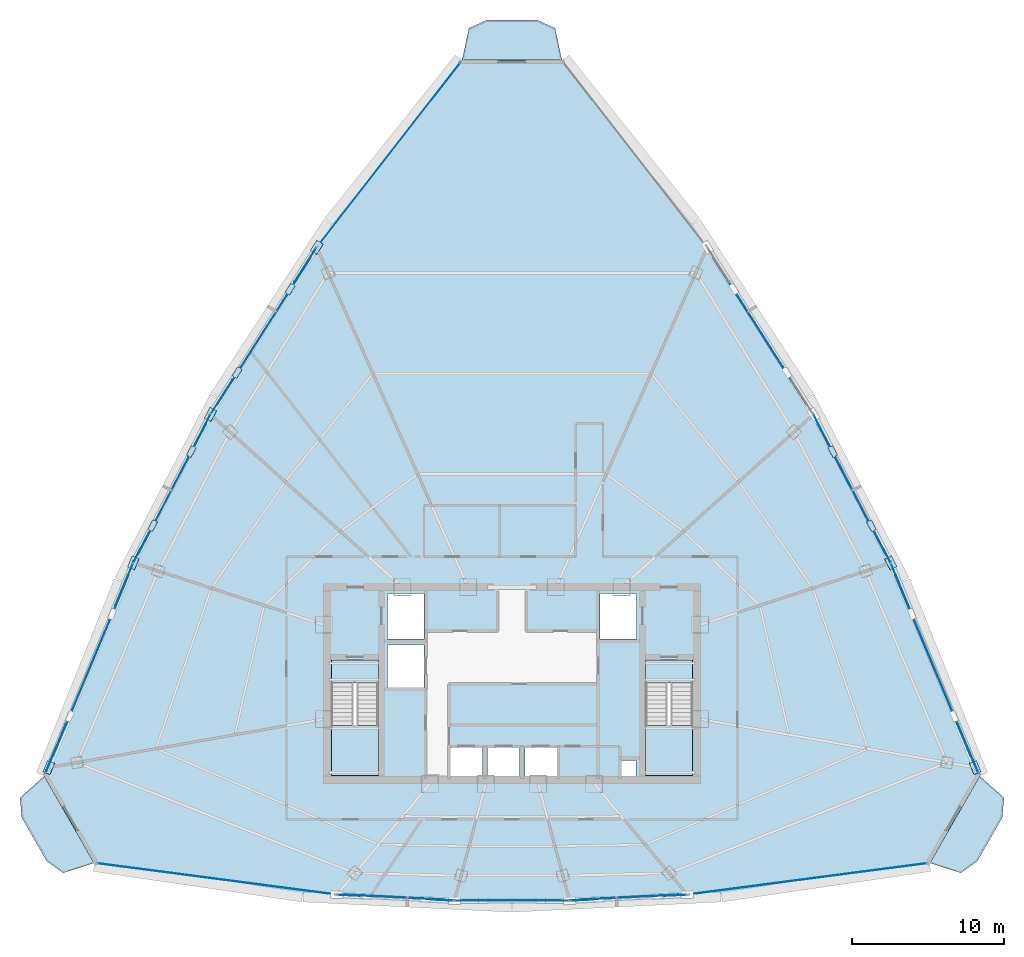
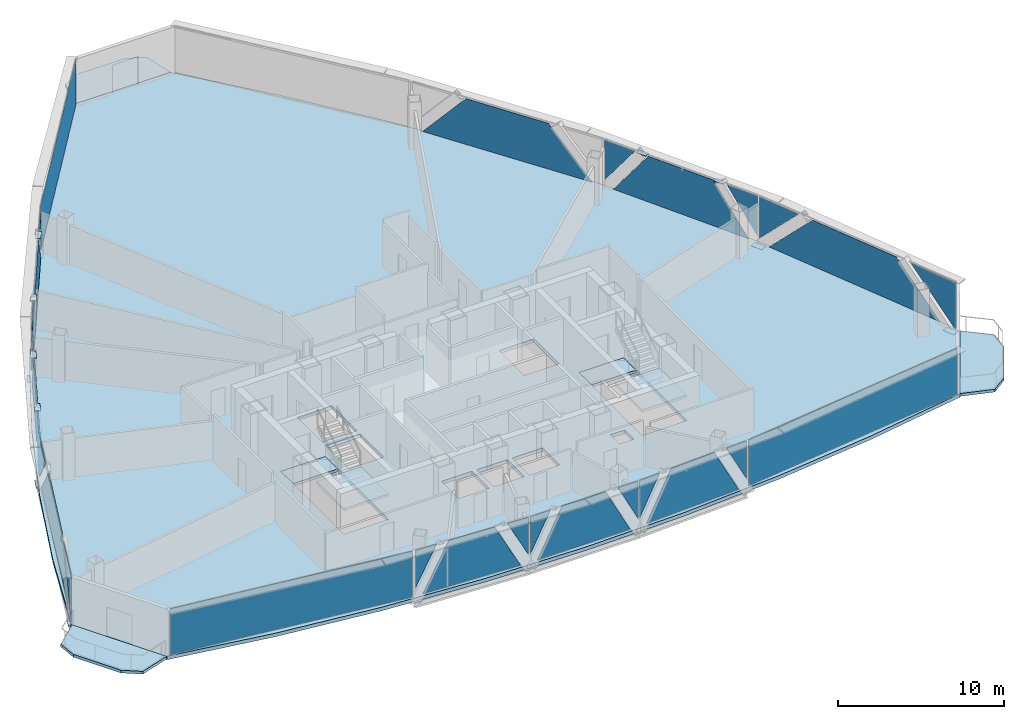
# One storey, part 28 of 35: 40 plates, 8 slabs, 14 elements without a shape of their own.
"""IFC4 building model written with IfcOpenShell, lengths in metres."""

from ifc_helpers import new_model, si_unit, direction, frame, origin, origin_2d, place, context, subcontext, project, spatial, polyline, rectangle, outline, extrude, source, transform, mapped, material, layer, layer_set, type_object, element, aggregate, save


model = new_model("IFC4")

# Units and contexts
model_context = context("Model", 3, precision=1e-05, world=origin(), true_north=direction((0.0, 1.0)))
body_context = subcontext(model_context, "Body", "Model", "MODEL_VIEW")
ifc_project = project(units=[si_unit("LENGTHUNIT", "METRE"), si_unit("AREAUNIT", "SQUARE_METRE"), si_unit("VOLUMEUNIT", "CUBIC_METRE"), si_unit("PLANEANGLEUNIT", "RADIAN"), si_unit("MASSUNIT", "GRAM", prefix="KILO"), si_unit("THERMODYNAMICTEMPERATUREUNIT", "KELVIN"), si_unit("POWERUNIT", "WATT")], contexts=[model_context])

# Site, building, storey
site_placement = place(None, origin())
site = spatial("IfcSite", under=ifc_project, at=site_placement, CompositionType="ELEMENT")
building_placement = place(site_placement, origin())
building = spatial("IfcBuilding", under=site, at=building_placement, Name="Yunzhuo Pagoda Commons", CompositionType="ELEMENT")
storey_placement = place(building_placement, frame((0.0, 0.0, 303.669921875)))
storey = spatial("IfcBuildingStorey", under=building, at=storey_placement, Name="L76", CompositionType="ELEMENT", Elevation=303.669921875)

# Curtain wall, plates
ifc_material_1 = material(Name="Anodized aluminium 6063-T6", Category="aluminium")
ifc_layer_1 = layer(ifc_material_1, 0.139892578125)
ifc_layer_set_1 = layer_set([ifc_layer_1], Name="Anodized aluminium 6063-T6")
curtain_wall_type = type_object("IfcCurtainWallType", Name="CW-HI High-Zone Ribbon Curtain Wall", PredefinedType="NOTDEFINED", material=ifc_layer_set_1)
curtain_wall_1_placement = place(storey_placement, origin())
curtain_wall_1 = element("IfcCurtainWall", 1, at=curtain_wall_1_placement, inside=storey, type_object=curtain_wall_type, Name="L76 curtain wall CW-L76-F1B2", PredefinedType="NOTDEFINED")
ifc_material_2 = material(Name="Tempered low-e double glazing", Category="glass")
ifc_layer_2 = layer(ifc_material_2, 0.02587890625)
ifc_layer_set_2 = layer_set([ifc_layer_2], Name="Tempered low-e double glazing")
plate_type_1 = type_object("IfcPlateType", Name="CW-HI-P Low-E Double Glazing 26", PredefinedType="CURTAIN_PANEL", material=ifc_layer_set_2)
plate_1_placement = place(storey_placement, frame((37.229736328125, 19.91943359375, 2.047119140625), z_axis=(-0.051461616076, -0.998674973187, 0.0), x_axis=(0.998674973187, -0.051461616076, 0.0)))
plate_1 = element("IfcPlate", 2, at=plate_1_placement, type_object=plate_type_1, Name="CW panel 1.1 lite 1", PredefinedType="CURTAIN_PANEL", context=body_context, shape_type="SweptSolid", body=[
    extrude(outline(polyline([(-0.71142578125, -1.367919921875), (0.71142578125, 1.367919921875), (-0.71142578125, 1.367919921875), (-0.71142578125, -1.367919921875)])), origin(), (0.0, 0.0, 1.0), 0.028076171875),
])
plate_2_placement = place(storey_placement, frame((40.335205078125, 19.78955078125, 1.735107421875), z_axis=(-0.051461616076, -0.998674973187, 0.0), x_axis=(0.998674973187, -0.051461616076, 0.0)))
plate_2 = element("IfcPlate", 3, at=plate_2_placement, type_object=plate_type_1, Name="CW panel 1.1 lite 2", PredefinedType="CURTAIN_PANEL", context=body_context, shape_type="SweptSolid", body=[
    extrude(outline(polyline([(-3.28759765625, -1.679931640625), (3.28759765625, -1.679931640625), (1.5400390625, 1.679931640625), (-1.5400390625, 1.679931640625), (-3.28759765625, -1.679931640625)])), origin(), (0.0, 0.0, 1.0), 0.028076171875),
])
plate_3_placement = place(storey_placement, frame((43.437744140625, 19.599609375, 2.047119140625), z_axis=(-0.051461616076, -0.998674973187, 0.0), x_axis=(0.998674973187, -0.051461616076, 0.0)))
plate_3 = element("IfcPlate", 4, at=plate_3_placement, type_object=plate_type_1, Name="CW panel 1.1 lite 3", PredefinedType="CURTAIN_PANEL", context=body_context, shape_type="SweptSolid", body=[
    extrude(outline(polyline([(-0.71142578125, 1.367919921875), (0.71142578125, -1.367919921875), (0.71142578125, 1.367919921875), (-0.71142578125, 1.367919921875)])), origin(), (0.0, 0.0, 1.0), 0.028076171875),
])
aggregate(curtain_wall_1, [plate_1, plate_2, plate_3])

curtain_wall_2_placement = place(storey_placement, origin())
curtain_wall_2 = element("IfcCurtainWall", 5, at=curtain_wall_2_placement, inside=storey, type_object=curtain_wall_type, Name="L76 curtain wall CW-L76-F1B3", PredefinedType="NOTDEFINED")
plate_4_placement = place(storey_placement, frame((44.95849609375, 19.56005859375, 2.0556640625), z_axis=(0.0, -1.0, 0.0), x_axis=(1.0, 0.0, 0.0)))
plate_4 = element("IfcPlate", 6, at=plate_4_placement, type_object=plate_type_1, Name="CW panel 1.1 lite 1", PredefinedType="CURTAIN_PANEL", context=body_context, shape_type="SweptSolid", body=[
    extrude(outline(polyline([(-0.69091796875, -1.359130859375), (0.69091796875, 1.359375), (-0.69091796875, 1.359375), (-0.69091796875, -1.359130859375)])), origin(), (0.0, 0.0, 1.0), 0.028076171875),
])
plate_5_placement = place(storey_placement, frame((48.0, 19.58984375, 1.735107421875), z_axis=(0.0, -1.0, 0.0), x_axis=(1.0, 0.0, 0.0)))
plate_5 = element("IfcPlate", 7, at=plate_5_placement, type_object=plate_type_1, Name="CW panel 1.1 lite 2", PredefinedType="CURTAIN_PANEL", context=body_context, shape_type="SweptSolid", body=[
    extrude(outline(polyline([(-3.206298828125, -1.679931640625), (3.206298828125, -1.679931640625), (1.498046875, 1.679931640625), (-1.498046875, 1.679931640625), (-3.206298828125, -1.679931640625)])), origin(), (0.0, 0.0, 1.0), 0.028076171875),
])
plate_6_placement = place(storey_placement, frame((51.04150390625, 19.56005859375, 2.0556640625), z_axis=(0.0, -1.0, 0.0), x_axis=(1.0, 0.0, 0.0)))
plate_6 = element("IfcPlate", 8, at=plate_6_placement, type_object=plate_type_1, Name="CW panel 1.1 lite 3", PredefinedType="CURTAIN_PANEL", context=body_context, shape_type="SweptSolid", body=[
    extrude(outline(polyline([(-0.69091796875, 1.359375), (0.69091796875, -1.359130859375), (0.69091796875, 1.359375), (-0.69091796875, 1.359375)])), origin(), (0.0, 0.0, 1.0), 0.028076171875),
])
aggregate(curtain_wall_2, [plate_4, plate_5, plate_6])

curtain_wall_3_placement = place(storey_placement, origin())
curtain_wall_3 = element("IfcCurtainWall", 9, at=curtain_wall_3_placement, inside=storey, type_object=curtain_wall_type, Name="L76 curtain wall CW-L76-F1B4", PredefinedType="NOTDEFINED")
plate_7_placement = place(storey_placement, frame((52.562255859375, 19.599609375, 2.047119140625), z_axis=(0.051461616076, -0.998674973187, 0.0), x_axis=(0.998674973187, 0.051461616076, 0.0)))
plate_7 = element("IfcPlate", 10, at=plate_7_placement, type_object=plate_type_1, Name="CW panel 1.1 lite 1", PredefinedType="CURTAIN_PANEL", context=body_context, shape_type="SweptSolid", body=[
    extrude(outline(polyline([(-0.71142578125, -1.367919921875), (0.71142578125, 1.367919921875), (-0.71142578125, 1.367919921875), (-0.71142578125, -1.367919921875)])), origin(), (0.0, 0.0, 1.0), 0.028076171875),
])
plate_8_placement = place(storey_placement, frame((55.664794921875, 19.78955078125, 1.735107421875), z_axis=(0.051461616076, -0.998674973187, 0.0), x_axis=(0.998674973187, 0.051461616076, 0.0)))
plate_8 = element("IfcPlate", 11, at=plate_8_placement, type_object=plate_type_1, Name="CW panel 1.1 lite 2", PredefinedType="CURTAIN_PANEL", context=body_context, shape_type="SweptSolid", body=[
    extrude(outline(polyline([(-3.28759765625, -1.679931640625), (3.28759765625, -1.679931640625), (1.5400390625, 1.679931640625), (-1.5400390625, 1.679931640625), (-3.28759765625, -1.679931640625)])), origin(), (0.0, 0.0, 1.0), 0.028076171875),
])
plate_9_placement = place(storey_placement, frame((58.770263671875, 19.91943359375, 2.047119140625), z_axis=(0.051461616076, -0.998674973187, 0.0), x_axis=(0.998674973187, 0.051461616076, 0.0)))
plate_9 = element("IfcPlate", 12, at=plate_9_placement, type_object=plate_type_1, Name="CW panel 1.1 lite 3", PredefinedType="CURTAIN_PANEL", context=body_context, shape_type="SweptSolid", body=[
    extrude(outline(polyline([(-0.71142578125, 1.367919921875), (0.71142578125, -1.367919921875), (0.71142578125, 1.367919921875), (-0.71142578125, 1.367919921875)])), origin(), (0.0, 0.0, 1.0), 0.028076171875),
])
aggregate(curtain_wall_3, [plate_7, plate_8, plate_9])

curtain_wall_4_placement = place(storey_placement, origin())
curtain_wall_4 = element("IfcCurtainWall", 13, at=curtain_wall_4_placement, inside=storey, type_object=curtain_wall_type, Name="L76 curtain wall CW-L76-F2B2", PredefinedType="NOTDEFINED")
plate_10_placement = place(storey_placement, frame((78.044677734375, 29.56103515625, 1.735107421875), z_axis=(0.922876210298, 0.385096741697, 0.0), x_axis=(-0.385096741697, 0.922876210298, 0.0)))
plate_10 = element("IfcPlate", 14, at=plate_10_placement, type_object=plate_type_1, Name="CW panel 1.1 lite 1", PredefinedType="CURTAIN_PANEL", context=body_context, shape_type="SweptSolid", body=[
    extrude(outline(polyline([(-1.736083984375, -1.679931640625), (-1.549560546875, -1.679931640625), (1.736083984375, 1.679931640625), (-1.736083984375, 1.679931640625), (-1.736083984375, -1.679931640625)])), origin(), (0.0, 0.0, 1.0), 0.028076171875),
])
plate_11_placement = place(storey_placement, frame((75.718505859375, 35.0576171875, 1.735107421875), z_axis=(0.922876210298, 0.385096741697, 0.0), x_axis=(-0.385096741697, 0.922876210298, 0.0)))
plate_11 = element("IfcPlate", 15, at=plate_11_placement, type_object=plate_type_1, Name="CW panel 1.1 lite 2", PredefinedType="CURTAIN_PANEL", context=body_context, shape_type="SweptSolid", body=[
    extrude(outline(polyline([(-6.455078125, -1.679931640625), (6.455078125, -1.679931640625), (3.169677734375, 1.679931640625), (-3.169677734375, 1.679931640625), (-6.455078125, -1.679931640625)])), origin(), (0.0, 0.0, 1.0), 0.028076171875),
])
plate_12_placement = place(storey_placement, frame((73.538330078125, 40.360595703125, 1.8798828125), z_axis=(0.922876210298, 0.385096741697, 0.0), x_axis=(-0.385096741697, 0.922876210298, 0.0)))
plate_12 = element("IfcPlate", 16, at=plate_12_placement, type_object=plate_type_1, Name="CW panel 1.1 lite 3", PredefinedType="CURTAIN_PANEL", context=body_context, shape_type="SweptSolid", body=[
    extrude(outline(polyline([(-1.501220703125, 1.53515625), (1.501220703125, -1.534912109375), (1.501220703125, 1.53515625), (-1.501220703125, 1.53515625)])), origin(), (0.0, 0.0, 1.0), 0.028076171875),
])
aggregate(curtain_wall_4, [plate_10, plate_11, plate_12])

curtain_wall_5_placement = place(storey_placement, origin())
curtain_wall_5 = element("IfcCurtainWall", 17, at=curtain_wall_5_placement, inside=storey, type_object=curtain_wall_type, Name="L76 curtain wall CW-L76-F2B3", PredefinedType="NOTDEFINED")
plate_13_placement = place(storey_placement, frame((72.40625, 42.8212890625, 1.93798828125), z_axis=(0.887137465673, 0.461505272992, 0.0), x_axis=(-0.461505272992, 0.887137465673, 0.0)))
plate_13 = element("IfcPlate", 18, at=plate_13_placement, type_object=plate_type_1, Name="CW panel 1.1 lite 1", PredefinedType="CURTAIN_PANEL", context=body_context, shape_type="SweptSolid", body=[
    extrude(outline(polyline([(-1.09130859375, -1.47705078125), (1.09130859375, 1.47705078125), (-1.09130859375, 1.47705078125), (-1.09130859375, -1.47705078125)])), origin(), (0.0, 0.0, 1.0), 0.028076171875),
])
plate_14_placement = place(storey_placement, frame((70.367431640625, 46.67529296875, 1.735107421875), z_axis=(0.887137465673, 0.461505272992, 0.0), x_axis=(-0.461505272992, 0.887137465673, 0.0)))
plate_14 = element("IfcPlate", 19, at=plate_14_placement, type_object=plate_type_1, Name="CW panel 1.1 lite 2", PredefinedType="CURTAIN_PANEL", context=body_context, shape_type="SweptSolid", body=[
    extrude(outline(polyline([(-4.805908203125, -1.679931640625), (4.805908203125, -1.679931640625), (2.32373046875, 1.679931640625), (-2.32373046875, 1.679931640625), (-4.805908203125, -1.679931640625)])), origin(), (0.0, 0.0, 1.0), 0.028076171875),
])
plate_15_placement = place(storey_placement, frame((68.382080078125, 50.55712890625, 1.93798828125), z_axis=(0.887137465673, 0.461505272992, 0.0), x_axis=(-0.461505272992, 0.887137465673, 0.0)))
plate_15 = element("IfcPlate", 20, at=plate_15_placement, type_object=plate_type_1, Name="CW panel 1.1 lite 3", PredefinedType="CURTAIN_PANEL", context=body_context, shape_type="SweptSolid", body=[
    extrude(outline(polyline([(-1.09130859375, 1.47705078125), (1.09130859375, -1.47705078125), (1.09130859375, 1.47705078125), (-1.09130859375, 1.47705078125)])), origin(), (0.0, 0.0, 1.0), 0.028076171875),
])
aggregate(curtain_wall_5, [plate_13, plate_14, plate_15])

# Curtain wall, plate
curtain_wall_6_placement = place(storey_placement, origin())
curtain_wall_6 = element("IfcCurtainWall", 21, at=curtain_wall_6_placement, inside=storey, type_object=curtain_wall_type, Name="L76 curtain wall CW-L76-F2B4", PredefinedType="NOTDEFINED")
plate_16_placement = place(storey_placement, frame((64.326416015625, 57.06591796875, 1.735107421875), z_axis=(0.843909804597, 0.536485080599, 0.0), x_axis=(-0.536485080599, 0.843909804597, 0.0)))
plate_16 = element("IfcPlate", 22, at=plate_16_placement, type_object=plate_type_1, Name="CW panel 1.1 lite 2", PredefinedType="CURTAIN_PANEL", context=body_context, shape_type="SweptSolid", body=[
    extrude(outline(polyline([(-5.742431640625, -1.679931640625), (5.742431640625, -1.679931640625), (2.8046875, 1.679931640625), (-2.8046875, 1.679931640625), (-5.742431640625, -1.679931640625)])), origin(), (0.0, 0.0, 1.0), 0.028076171875),
])
aggregate(curtain_wall_6, [plate_16])

# Curtain wall, plates
curtain_wall_7_placement = place(storey_placement, origin())
curtain_wall_7 = element("IfcCurtainWall", 23, at=curtain_wall_7_placement, inside=storey, type_object=curtain_wall_type, Name="L76 curtain wall CW-L76-F3B2", PredefinedType="NOTDEFINED")
plate_17_placement = place(storey_placement, frame((34.40478515625, 61.418212890625, 1.900390625), z_axis=(-0.843909804597, 0.536485080599, 0.0), x_axis=(-0.536485080599, -0.843909804597, 0.0)))
plate_17 = element("IfcPlate", 24, at=plate_17_placement, type_object=plate_type_1, Name="CW panel 1.1 lite 1", PredefinedType="CURTAIN_PANEL", context=body_context, shape_type="SweptSolid", body=[
    extrude(outline(polyline([(-1.32421875, -1.514404296875), (1.32421875, 1.514404296875), (-1.32421875, 1.514404296875), (-1.32421875, -1.514404296875)])), origin(), (0.0, 0.0, 1.0), 0.028076171875),
])
plate_18_placement = place(storey_placement, frame((31.673583984375, 57.06591796875, 1.735107421875), z_axis=(-0.843909804597, 0.536485080599, 0.0), x_axis=(-0.536485080599, -0.843909804597, 0.0)))
plate_18 = element("IfcPlate", 25, at=plate_18_placement, type_object=plate_type_1, Name="CW panel 1.1 lite 2", PredefinedType="CURTAIN_PANEL", context=body_context, shape_type="SweptSolid", body=[
    extrude(outline(polyline([(-5.742431640625, -1.679931640625), (5.742431640625, -1.679931640625), (2.8046875, 1.679931640625), (-2.8046875, 1.679931640625), (-5.742431640625, -1.679931640625)])), origin(), (0.0, 0.0, 1.0), 0.028076171875),
])
plate_19_placement = place(storey_placement, frame((28.891357421875, 52.74560546875, 1.900390625), z_axis=(-0.843909804597, 0.536485080599, 0.0), x_axis=(-0.536485080599, -0.843909804597, 0.0)))
plate_19 = element("IfcPlate", 26, at=plate_19_placement, type_object=plate_type_1, Name="CW panel 1.1 lite 3", PredefinedType="CURTAIN_PANEL", context=body_context, shape_type="SweptSolid", body=[
    extrude(outline(polyline([(-1.32421875, 1.514404296875), (1.32421875, -1.514404296875), (1.32421875, 1.514404296875), (-1.32421875, 1.514404296875)])), origin(), (0.0, 0.0, 1.0), 0.028076171875),
])
aggregate(curtain_wall_7, [plate_17, plate_18, plate_19])

curtain_wall_8_placement = place(storey_placement, origin())
curtain_wall_8 = element("IfcCurtainWall", 27, at=curtain_wall_8_placement, inside=storey, type_object=curtain_wall_type, Name="L76 curtain wall CW-L76-F3B3", PredefinedType="NOTDEFINED")
plate_20_placement = place(storey_placement, frame((27.617919921875, 50.55712890625, 1.93798828125), z_axis=(-0.887137465673, 0.461505272992, 0.0), x_axis=(-0.461505272992, -0.887137465673, 0.0)))
plate_20 = element("IfcPlate", 28, at=plate_20_placement, type_object=plate_type_1, Name="CW panel 1.1 lite 1", PredefinedType="CURTAIN_PANEL", context=body_context, shape_type="SweptSolid", body=[
    extrude(outline(polyline([(-1.09130859375, -1.47705078125), (1.09130859375, 1.47705078125), (-1.09130859375, 1.47705078125), (-1.09130859375, -1.47705078125)])), origin(), (0.0, 0.0, 1.0), 0.028076171875),
])
plate_21_placement = place(storey_placement, frame((25.632568359375, 46.67529296875, 1.735107421875), z_axis=(-0.887137465673, 0.461505272992, 0.0), x_axis=(-0.461505272992, -0.887137465673, 0.0)))
plate_21 = element("IfcPlate", 29, at=plate_21_placement, type_object=plate_type_1, Name="CW panel 1.1 lite 2", PredefinedType="CURTAIN_PANEL", context=body_context, shape_type="SweptSolid", body=[
    extrude(outline(polyline([(-4.805908203125, -1.679931640625), (4.805908203125, -1.679931640625), (2.32373046875, 1.679931640625), (-2.32373046875, 1.679931640625), (-4.805908203125, -1.679931640625)])), origin(), (0.0, 0.0, 1.0), 0.028076171875),
])
plate_22_placement = place(storey_placement, frame((23.59375, 42.8212890625, 1.93798828125), z_axis=(-0.887137465673, 0.461505272992, 0.0), x_axis=(-0.461505272992, -0.887137465673, 0.0)))
plate_22 = element("IfcPlate", 30, at=plate_22_placement, type_object=plate_type_1, Name="CW panel 1.1 lite 3", PredefinedType="CURTAIN_PANEL", context=body_context, shape_type="SweptSolid", body=[
    extrude(outline(polyline([(-1.09130859375, 1.47705078125), (1.09130859375, -1.47705078125), (1.09130859375, 1.47705078125), (-1.09130859375, 1.47705078125)])), origin(), (0.0, 0.0, 1.0), 0.028076171875),
])
aggregate(curtain_wall_8, [plate_20, plate_21, plate_22])

curtain_wall_9_placement = place(storey_placement, origin())
curtain_wall_9 = element("IfcCurtainWall", 31, at=curtain_wall_9_placement, inside=storey, type_object=curtain_wall_type, Name="L76 curtain wall CW-L76-F3B4", PredefinedType="NOTDEFINED")
plate_23_placement = place(storey_placement, frame((22.461669921875, 40.360595703125, 1.8798828125), z_axis=(-0.922876210298, 0.385096741697, 0.0), x_axis=(-0.385096741697, -0.922876210298, 0.0)))
plate_23 = element("IfcPlate", 32, at=plate_23_placement, type_object=plate_type_1, Name="CW panel 1.1 lite 1", PredefinedType="CURTAIN_PANEL", context=body_context, shape_type="SweptSolid", body=[
    extrude(outline(polyline([(-1.501220703125, -1.534912109375), (1.501220703125, 1.53515625), (-1.501220703125, 1.53515625), (-1.501220703125, -1.534912109375)])), origin(), (0.0, 0.0, 1.0), 0.028076171875),
])
plate_24_placement = place(storey_placement, frame((20.281494140625, 35.0576171875, 1.735107421875), z_axis=(-0.922876210298, 0.385096741697, 0.0), x_axis=(-0.385096741697, -0.922876210298, 0.0)))
plate_24 = element("IfcPlate", 33, at=plate_24_placement, type_object=plate_type_1, Name="CW panel 1.1 lite 2", PredefinedType="CURTAIN_PANEL", context=body_context, shape_type="SweptSolid", body=[
    extrude(outline(polyline([(-6.455078125, -1.679931640625), (6.455078125, -1.679931640625), (3.169677734375, 1.679931640625), (-3.169677734375, 1.679931640625), (-6.455078125, -1.679931640625)])), origin(), (0.0, 0.0, 1.0), 0.028076171875),
])
plate_25_placement = place(storey_placement, frame((17.955322265625, 29.56103515625, 1.735107421875), z_axis=(-0.922876210298, 0.385096741697, 0.0), x_axis=(-0.385096741697, -0.922876210298, 0.0)))
plate_25 = element("IfcPlate", 34, at=plate_25_placement, type_object=plate_type_1, Name="CW panel 1.1 lite 3", PredefinedType="CURTAIN_PANEL", context=body_context, shape_type="SweptSolid", body=[
    extrude(outline(polyline([(-1.736083984375, 1.679931640625), (1.549560546875, -1.679931640625), (1.736083984375, -1.679931640625), (1.736083984375, 1.679931640625), (-1.736083984375, 1.679931640625)])), origin(), (0.0, 0.0, 1.0), 0.028076171875),
])
aggregate(curtain_wall_9, [plate_23, plate_24, plate_25])

# Slabs
ifc_material_3 = material(Name="Concrete C40", Category="concrete")
ifc_layer_3 = layer(ifc_material_3, 0.199951171875)
ifc_layer_set_3 = layer_set([ifc_layer_3], Name="Concrete C40")
slab_type_1 = type_object("IfcSlabType", Name="SL-BAL Vertex Balcony Deck Slab 200", PredefinedType="FLOOR", material=ifc_layer_set_3)
slab_1_placement = place(storey_placement, frame((0.0, 0.0, -0.199951171875)))
element("IfcSlab", 35, at=slab_1_placement, inside=storey, type_object=slab_type_1, Name="L76 corner balcony V1", PredefinedType="FLOOR", context=body_context, shape_type="SweptSolid", body=[
    extrude(outline(polyline([(17.180908203125, 27.75927734375), (20.468994140625, 22.032958984375), (18.427978515625, 21.380126953125), (17.35302734375, 22.1474609375), (15.709228515625, 25.010498046875), (15.588134765625, 26.32568359375), (17.180908203125, 27.75927734375)])), origin(), (0.0, 0.0, 1.0), 0.199951171875),
])
slab_2_placement = place(storey_placement, frame((0.0, 0.0, -0.199951171875)))
element("IfcSlab", 36, at=slab_2_placement, inside=storey, type_object=slab_type_1, Name="L76 corner balcony V2", PredefinedType="FLOOR", context=body_context, shape_type="SweptSolid", body=[
    extrude(outline(polyline([(75.531005859375, 22.032958984375), (78.819091796875, 27.75927734375), (80.411865234375, 26.32568359375), (80.290771484375, 25.010498046875), (78.64697265625, 22.1474609375), (77.572021484375, 21.380126953125), (75.531005859375, 22.032958984375)])), origin(), (0.0, 0.0, 1.0), 0.199951171875),
])
slab_3_placement = place(storey_placement, frame((0.0, 0.0, -0.199951171875)))
element("IfcSlab", 37, at=slab_3_placement, inside=storey, type_object=slab_type_1, Name="L76 corner balcony V3", PredefinedType="FLOOR", context=body_context, shape_type="SweptSolid", body=[
    extrude(outline(polyline([(51.287841796875, 74.923095703125), (44.712158203125, 74.923095703125), (45.162109375, 77.01806640625), (46.356201171875, 77.568115234375), (49.643798828125, 77.568115234375), (50.837890625, 77.01806640625), (51.287841796875, 74.923095703125)])), origin(), (0.0, 0.0, 1.0), 0.199951171875),
])

# Stair, slabs
stair_type_1 = type_object("IfcStairType", Name="ST-C1 Core Smokeproof Stair ST1", PredefinedType="HALF_TURN_STAIR", material=ifc_material_3)
stair_1_placement = place(storey_placement, origin())
stair_1 = element("IfcStair", 38, at=stair_1_placement, inside=storey, type_object=stair_type_1, Name="L76 Core smokeproof stair ST1", PredefinedType="HALF_TURN_STAIR")
ifc_layer_4 = layer(ifc_material_3, 0.199951171875)
ifc_layer_set_4 = layer_set([ifc_layer_4], Name="Concrete C40")
slab_type_2 = type_object("IfcSlabType", Name="SL-LND1 Stair Landing Slab 200", PredefinedType="LANDING", material=ifc_layer_set_4)
slab_4_placement = place(storey_placement, frame((0.0, 0.0, 1.6650390625)))
slab_4 = element("IfcSlab", 39, at=slab_4_placement, type_object=slab_type_2, Name="ST1 landing 1", PredefinedType="LANDING", context=body_context, shape_type="SweptSolid", body=[
    extrude(outline(polyline([(36.10009765625, 31.10009765625), (36.10009765625, 27.800048828125), (39.199951171875, 27.800048828125), (39.199951171875, 31.10009765625), (36.10009765625, 31.10009765625)])), origin(), (0.0, 0.0, 1.0), 0.199951171875),
])
slab_5_placement = place(storey_placement, frame((0.0, 0.0, -0.199951171875)))
slab_5 = element("IfcSlab", 40, at=slab_5_placement, type_object=slab_type_2, Name="ST1 floor landing L76", PredefinedType="LANDING", context=body_context, shape_type="SweptSolid", body=[
    extrude(outline(polyline([(36.10009765625, 35.39990234375), (36.10009765625, 33.89990234375), (39.199951171875, 33.89990234375), (39.199951171875, 35.39990234375), (36.10009765625, 35.39990234375)])), origin(), (0.0, 0.0, 1.0), 0.199951171875),
])
aggregate(stair_1, [slab_4, slab_5])

stair_type_2 = type_object("IfcStairType", Name="ST-C2 Core Smokeproof Stair ST2", PredefinedType="HALF_TURN_STAIR", material=ifc_material_3)
stair_2_placement = place(storey_placement, origin())
stair_2 = element("IfcStair", 41, at=stair_2_placement, inside=storey, type_object=stair_type_2, Name="L76 Core smokeproof stair ST2", PredefinedType="HALF_TURN_STAIR")
ifc_layer_5 = layer(ifc_material_3, 0.201904296875)
ifc_layer_set_5 = layer_set([ifc_layer_5], Name="Concrete C40")
slab_type_3 = type_object("IfcSlabType", Name="SL-LND2 Stair Landing Slab 202", PredefinedType="LANDING", material=ifc_layer_set_5)
slab_6_placement = place(storey_placement, frame((0.0, 0.0, 1.6650390625)))
slab_6 = element("IfcSlab", 42, at=slab_6_placement, type_object=slab_type_3, Name="ST2 landing 1", PredefinedType="LANDING", context=body_context, shape_type="SweptSolid", body=[
    extrude(outline(polyline([(56.800048828125, 31.10009765625), (56.800048828125, 27.800048828125), (59.89990234375, 27.800048828125), (59.89990234375, 31.10009765625), (56.800048828125, 31.10009765625)])), origin(), (0.0, 0.0, 1.0), 0.199951171875),
])
slab_7_placement = place(storey_placement, frame((0.0, 0.0, -0.199951171875)))
slab_7 = element("IfcSlab", 43, at=slab_7_placement, type_object=slab_type_3, Name="ST2 floor landing L76", PredefinedType="LANDING", context=body_context, shape_type="SweptSolid", body=[
    extrude(outline(polyline([(56.800048828125, 35.39990234375), (56.800048828125, 33.89990234375), (59.89990234375, 33.89990234375), (59.89990234375, 35.39990234375), (56.800048828125, 35.39990234375)])), origin(), (0.0, 0.0, 1.0), 0.199951171875),
])
aggregate(stair_2, [slab_6, slab_7])

# Slab
ifc_layer_6 = layer(ifc_material_3, 0.260009765625)
ifc_layer_set_6 = layer_set([ifc_layer_6], Name="Concrete C40")
slab_type_4 = type_object("IfcSlabType", Name="SL-TWR Typical Tower Floor Slab 260", PredefinedType="FLOOR", material=ifc_layer_set_6)
slab_8_placement = place(storey_placement, frame((0.0, 0.0, -0.260009765625)))
element("IfcSlab", 44, at=slab_8_placement, inside=storey, type_object=slab_type_4, Name="L76 structural floor slab", PredefinedType="FLOOR", context=body_context, shape_type="SweptSolid", body=[
    extrude(outline(polyline([(19.614013671875, 34.2470703125), (22.331787109375, 40.563720703125), (25.3388671875, 46.71142578125), (28.635009765625, 52.6904296875), (32.220703125, 58.50048828125), (36.09521484375, 64.141845703125), (40.259033203125, 69.614501953125), (44.712158203125, 74.918212890625), (51.287841796875, 74.918212890625), (55.740966796875, 69.614501953125), (59.90478515625, 64.141845703125), (63.779296875, 58.50048828125), (67.364990234375, 52.6904296875), (70.6611328125, 46.71142578125), (73.668212890625, 40.563720703125), (76.385986328125, 34.2470703125), (78.814697265625, 27.76171875), (75.52685546875, 22.035400390625), (68.64501953125, 20.86328125), (61.763427734375, 20.026123046875), (54.881591796875, 19.52392578125), (48.0, 19.3564453125), (41.118408203125, 19.52392578125), (34.236572265625, 20.026123046875), (27.35498046875, 20.86328125), (20.47314453125, 22.035400390625), (17.185302734375, 27.76171875), (19.614013671875, 34.2470703125)]), holes=[polyline([(56.179931640625, 28.800048828125), (55.179931640625, 28.800048828125), (55.179931640625, 27.699951171875), (56.179931640625, 27.699951171875), (56.179931640625, 28.800048828125)]), polyline([(46.050048828125, 29.64990234375), (43.949951171875, 29.64990234375), (43.949951171875, 27.60009765625), (46.050048828125, 27.60009765625), (46.050048828125, 29.64990234375)]), polyline([(48.5, 29.64990234375), (46.39990234375, 29.64990234375), (46.39990234375, 27.60009765625), (48.5, 27.60009765625), (48.5, 29.64990234375)]), polyline([(50.949951171875, 29.64990234375), (48.85009765625, 29.64990234375), (48.85009765625, 27.60009765625), (50.949951171875, 27.60009765625), (50.949951171875, 29.64990234375)]), polyline([(39.199951171875, 27.800048828125), (39.199951171875, 35.39990234375), (36.10009765625, 35.39990234375), (36.10009765625, 27.800048828125), (39.199951171875, 27.800048828125)]), polyline([(59.89990234375, 27.800048828125), (59.89990234375, 35.39990234375), (56.800048828125, 35.39990234375), (56.800048828125, 27.800048828125), (59.89990234375, 27.800048828125)]), polyline([(42.199951171875, 36.39990234375), (39.800048828125, 36.39990234375), (39.800048828125, 33.60009765625), (42.199951171875, 33.60009765625), (42.199951171875, 36.39990234375)]), polyline([(42.199951171875, 36.800048828125), (42.199951171875, 39.800048828125), (39.800048828125, 39.800048828125), (39.800048828125, 36.800048828125), (42.199951171875, 36.800048828125)]), polyline([(56.199951171875, 36.800048828125), (56.199951171875, 39.800048828125), (53.800048828125, 39.800048828125), (53.800048828125, 36.800048828125), (56.199951171875, 36.800048828125)])]), origin(), (0.0, 0.0, 1.0), 0.260009765625),
])

# Plates
ifc_material_4 = material(Name="Structural steel Q355B", Category="steel")
ifc_layer_7 = layer(ifc_material_4, 0.028076171875)
ifc_layer_set_7 = layer_set([ifc_layer_7], Name="Structural steel Q355B")
plate_type_2 = type_object("IfcPlateType", Name="SP-ND1 Lattice Node Cap Plate 800x500x28", PredefinedType="USERDEFINED", material=ifc_layer_set_7)
shared_shape_1 = source(origin(), body_context, "Body", "SweptSolid", [
    extrude(rectangle(XDim=0.800048828125, YDim=0.5, at=origin_2d()), origin(), (0.0, 0.0, 1.0), 0.028076171875),
])
for number, where, z_axis, x_axis, name in (
    (45, (78.513916015625, 28.319580078125, -0.27392578125), (0.0, 0.0, 1.0), (-0.381344677903, 0.924432927061, 0.0), "L76 diamond node plate F2.1A"),
    (46, (72.949951171875, 41.806640625, -0.27392578125), (0.0, 0.0, 1.0), (-0.461500895082, 0.887139743129, 0.0), "L76 diamond node plate F2.2A"),
    (47, (35.135498046875, 62.593994140625, -0.27392578125), (0.0, 0.0, 1.0), (-0.53648976325, -0.843906827753, 0.0), "L76 diamond node plate F3.1A"),
    (48, (28.13671875, 51.5849609375, -0.27392578125), (0.0, 0.0, 1.0), (-0.461500895082, -0.887139743129, 0.0), "L76 diamond node plate F3.2A"),
    (49, (23.050048828125, 41.806640625, -0.27392578125), (0.0, 0.0, 1.0), (-0.381344677903, -0.924432927061, 0.0), "L76 diamond node plate F3.3A"),
    (50, (17.486083984375, 28.319580078125, -0.27392578125), (0.0, 0.0, 1.0), (-0.381344677903, -0.924432927061, 0.0), "L76 diamond node plate F3.3B"),
):
    element("IfcPlate", number, at=place(storey_placement, frame(where, z_axis=z_axis, x_axis=x_axis)), inside=storey, type_object=plate_type_2, Name=name, ObjectType="STIFFENER_PLATE", PredefinedType="USERDEFINED", context=body_context, shape_type="MappedRepresentation", body=[
        mapped(shared_shape_1, transform((0.0, 0.0, 0.0), scale=1.0)),
    ])
shared_shape_2 = source(origin(), body_context, "Body", "SweptSolid", [
    extrude(rectangle(XDim=0.699951171875, YDim=0.35009765625, at=origin_2d()), origin(), (0.0, 0.0, 1.0), 0.035888671875),
])
for number, where, z_axis, x_axis, name in (
    (51, (71.67822265625, 44.251220703125, 3.43212890625), (0.0, 0.0, 1.0), (-0.461500895082, 0.887139743129, 0.0), "L76 setback lattice tie plate F2.2L"),
    (52, (69.135009765625, 49.140380859375, 3.43212890625), (0.0, 0.0, 1.0), (-0.461500895082, 0.887139743129, 0.0), "L76 setback lattice tie plate F2.2R"),
    (53, (33.3857421875, 59.841796875, 3.43212890625), (0.0, 0.0, 1.0), (-0.53648976325, -0.843906827753, 0.0), "L76 setback lattice tie plate F3.1L"),
    (54, (29.886474609375, 54.337158203125, 3.43212890625), (0.0, 0.0, 1.0), (-0.53648976325, -0.843906827753, 0.0), "L76 setback lattice tie plate F3.1R"),
    (55, (26.864990234375, 49.140380859375, 3.43212890625), (0.0, 0.0, 1.0), (-0.461500895082, -0.887139743129, 0.0), "L76 setback lattice tie plate F3.2L"),
    (56, (24.32177734375, 44.251220703125, 3.43212890625), (0.0, 0.0, 1.0), (-0.461500895082, -0.887139743129, 0.0), "L76 setback lattice tie plate F3.2R"),
):
    element("IfcPlate", number, at=place(storey_placement, frame(where, z_axis=z_axis, x_axis=x_axis)), inside=storey, type_object=plate_type_2, Name=name, ObjectType="STIFFENER_PLATE", PredefinedType="USERDEFINED", context=body_context, shape_type="MappedRepresentation", body=[
        mapped(shared_shape_2, transform((0.0, 0.0, 0.0), scale=1.0)),
    ])

# Curtain wall, plate
curtain_wall_10_placement = place(storey_placement, origin())
curtain_wall_10 = element("IfcCurtainWall", 57, at=curtain_wall_10_placement, inside=storey, type_object=curtain_wall_type, Name="L76 curtain wall CW-L76-F1B1", PredefinedType="NOTDEFINED")
shared_shape_3 = source(origin(), body_context, "Body", "SweptSolid", [
    extrude(rectangle(XDim=15.765380859375, YDim=0.028076171875, at=origin_2d()), origin(), (0.0, 0.0, 1.0), 3.360107421875),
])
plate_26_placement = place(storey_placement, frame((28.508544921875, 20.986328125, 0.05517578125), z_axis=(0.0, 0.0, 1.0), x_axis=(0.991532985066, -0.129855071238, 0.0)))
plate_26 = element("IfcPlate", 58, at=plate_26_placement, type_object=plate_type_1, Name="CW panel 1.1", PredefinedType="CURTAIN_PANEL", context=body_context, shape_type="MappedRepresentation", body=[
    mapped(shared_shape_3, transform((0.0, 0.0, 0.0), scale=1.0)),
])
aggregate(curtain_wall_10, [plate_26])

curtain_wall_11_placement = place(storey_placement, origin())
curtain_wall_11 = element("IfcCurtainWall", 59, at=curtain_wall_11_placement, inside=storey, type_object=curtain_wall_type, Name="L76 curtain wall CW-L76-F1B5", PredefinedType="NOTDEFINED")
plate_27_placement = place(storey_placement, frame((67.491455078125, 20.986328125, 0.05517578125), z_axis=(0.0, 0.0, 1.0), x_axis=(0.991532985066, 0.129855071238, 0.0)))
plate_27 = element("IfcPlate", 60, at=plate_27_placement, type_object=plate_type_1, Name="CW panel 1.1", PredefinedType="CURTAIN_PANEL", context=body_context, shape_type="MappedRepresentation", body=[
    mapped(shared_shape_3, transform((0.0, 0.0, 0.0), scale=1.0)),
])
aggregate(curtain_wall_11, [plate_27])

curtain_wall_12_placement = place(storey_placement, origin())
curtain_wall_12 = element("IfcCurtainWall", 61, at=curtain_wall_12_placement, inside=storey, type_object=curtain_wall_type, Name="L76 curtain wall CW-L76-F3B1", PredefinedType="NOTDEFINED")
shared_shape_4 = source(origin(), body_context, "Body", "SweptSolid", [
    extrude(rectangle(XDim=15.251708984375, YDim=0.028076171875, at=origin_2d()), origin(), (0.0, 0.0, 1.0), 3.360107421875),
])
plate_28_placement = place(storey_placement, frame((39.8994140625, 68.720703125, 0.05517578125), z_axis=(0.0, 0.0, 1.0), x_axis=(-0.613840173517, -0.78943032712, 0.0)))
plate_28 = element("IfcPlate", 62, at=plate_28_placement, type_object=plate_type_1, Name="CW panel 1.1", PredefinedType="CURTAIN_PANEL", context=body_context, shape_type="MappedRepresentation", body=[
    mapped(shared_shape_4, transform((0.0, 0.0, 0.0), scale=1.0)),
])
aggregate(curtain_wall_12, [plate_28])

save(model, "model.ifc")
